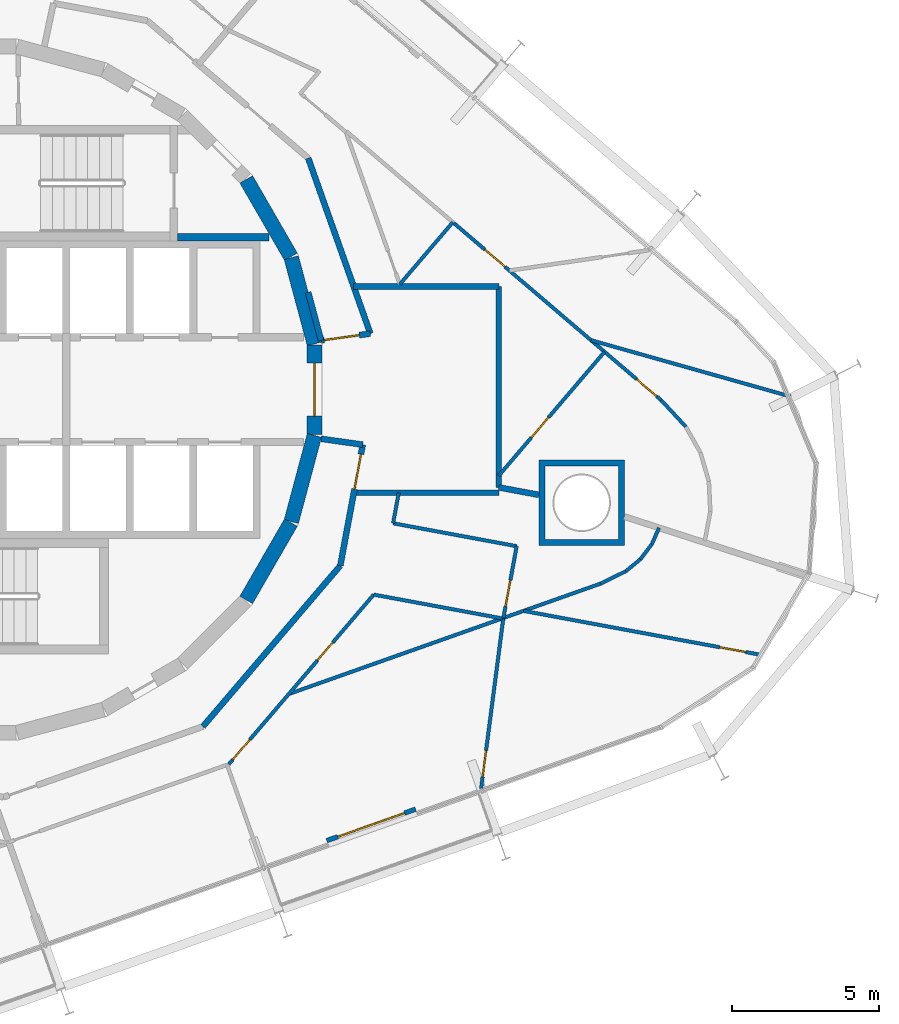
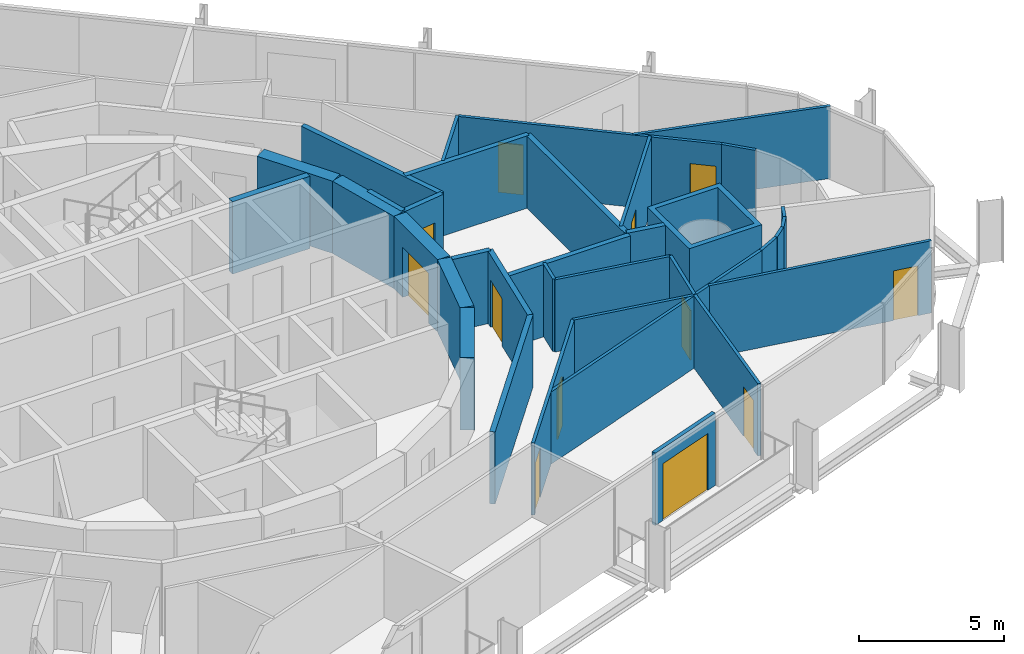
# One storey, part 13 of 17: 35 walls, 12 doors, 12 openings.
"""IFC4 building model written with IfcOpenShell, lengths in metres."""

from ifc_helpers import new_model, si_unit, direction, frame, frame_2d, origin, place, context, subcontext, project, spatial, polyline, rectangle, outline, extrude, material, layer, layer_set, type_object, element, fill, save


model = new_model("IFC4")

# Units and contexts
model_context = context("Model", 3, precision=1e-05, world=origin(), true_north=direction((0.0, 1.0)))
body_context = subcontext(model_context, "Body", "Model", "MODEL_VIEW")
ifc_project = project(units=[si_unit("LENGTHUNIT", "METRE"), si_unit("AREAUNIT", "SQUARE_METRE"), si_unit("VOLUMEUNIT", "CUBIC_METRE"), si_unit("PLANEANGLEUNIT", "RADIAN"), si_unit("MASSUNIT", "GRAM", prefix="KILO")], contexts=[model_context])

# Site, building, storey
site_placement = place(None, origin())
site = spatial("IfcSite", under=ifc_project, at=site_placement, CompositionType="ELEMENT")
building_placement = place(site_placement, origin())
building = spatial("IfcBuilding", under=site, at=building_placement, Name="Spindle Arch Residences", CompositionType="ELEMENT")
storey_placement = place(building_placement, frame((0.0, 0.0, 179.699951171875)))
storey = spatial("IfcBuildingStorey", under=building, at=storey_placement, Name="L45", CompositionType="ELEMENT", Elevation=179.699951171875)

# Walls
ifc_material_1 = material(Name="Concrete C50/60", Category="concrete")
ifc_layer_1 = layer(ifc_material_1, 0.5)
ifc_layer_set_1 = layer_set([ifc_layer_1], Name="Core outline wall 500")
wall_type_1 = type_object("IfcWallType", Name="Core outline wall 500", PredefinedType="SHEAR", material=ifc_layer_set_1)
for number, where, z_axis, x_axis, name in (
    (1, (9.32861328125, -7.13671875, 0.0), (0.0, 0.0, 1.0), (0.500087131594, 0.865975092491, 0.0), "Core outline wall 4"),
    (2, (10.858154296875, -4.479248046875, 0.0), (0.0, 0.0, 1.0), (0.258734743916, 0.965948410781, 0.0), "Core outline wall 5"),
):
    element("IfcWall", number, at=place(storey_placement, frame(where, z_axis=z_axis, x_axis=x_axis)), inside=storey, type_object=wall_type_1, Name=name, PredefinedType="SHEAR", context=body_context, shape_type="SweptSolid", body=[
        extrude(rectangle(XDim=3.03271484375, YDim=0.5, at=frame_2d((1.516357421875, 0.0))), origin(), (0.0, 0.0, 1.0), 3.050048828125),
    ])

# Wall, opening, door
wall_1_placement = place(storey_placement, frame((11.647216796875, -1.516357421875, 0.0), z_axis=(0.0, 0.0, 1.0), x_axis=(0.0, 1.0, 0.0)))
wall_1 = element("IfcWall", 3, at=wall_1_placement, inside=storey, type_object=wall_type_1, Name="Core outline wall 6", PredefinedType="SHEAR", context=body_context, shape_type="SweptSolid", body=[
    extrude(rectangle(XDim=3.03271484375, YDim=0.5, at=frame_2d((1.516357421875, 0.0))), origin(), (0.0, 0.0, 1.0), 3.050048828125),
])
opening_1_placement = place(wall_1_placement, frame((0.6162109375, 0.0, 0.0)))
opening_1 = element("IfcOpeningElement", 4, at=opening_1_placement, cuts=wall_1, Name="Opening R4C0-FE01", PredefinedType="OPENING", context=body_context, shape_type="SweptSolid", body=[
    extrude(rectangle(XDim=1.800048828125, YDim=2.10009765625, at=frame_2d((0.89990234375, 1.050048828125))), frame((0.0, 0.260009765625, 0.0), z_axis=(0.0, -1.0, 0.0), x_axis=(1.0, 0.0, 0.0)), (0.0, 0.0, 1.0), 0.52001953125),
])
ifc_material_2 = material(Name="Steel, fire-resisting door", Category="steel")
door_type_1 = type_object("IfcDoorType", Name="Fire-lift lobby door 1800x2100", OperationType="DOUBLE_DOOR_SINGLE_SWING", PredefinedType="DOOR", material=ifc_material_2)
door_1_placement = place(opening_1_placement, origin())
door_1 = element("IfcDoor", 5, at=door_1_placement, inside=storey, type_object=door_type_1, Name="Fire-lift lobby door R4C0-FE01", OperationType="DOUBLE_DOOR_SINGLE_SWING", OverallHeight=2.10009765625, OverallWidth=1.800048828125, PredefinedType="DOOR", context=body_context, shape_type="SweptSolid", body=[
    extrude(rectangle(XDim=1.800048828125, YDim=2.10009765625, at=frame_2d((0.89990234375, 1.050048828125))), frame((0.0, 0.02490234375, 0.0), z_axis=(0.0, -1.0, 0.0), x_axis=(1.0, 0.0, 0.0)), (0.0, 0.0, 1.0), 0.050048828125),
])
fill(opening_1, door_1)

# Walls
for number, where, z_axis, x_axis, name in (
    (6, (11.642822265625, 1.5498046875, 0.0), (0.0, 0.0, 1.0), (-0.258734743916, 0.965948410781, 0.0), "Core outline wall 7"),
    (7, (10.84521484375, 4.510498046875, 0.0), (0.0, 0.0, 1.0), (-0.500087131594, 0.865975092491, 0.0), "Core outline wall 8"),
):
    element("IfcWall", number, at=place(storey_placement, frame(where, z_axis=z_axis, x_axis=x_axis)), inside=storey, type_object=wall_type_1, Name=name, PredefinedType="SHEAR", context=body_context, shape_type="SweptSolid", body=[
        extrude(rectangle(XDim=3.03271484375, YDim=0.5, at=frame_2d((1.516357421875, 0.0))), origin(), (0.0, 0.0, 1.0), 3.050048828125),
    ])
ifc_material_3 = material(Name="Calcium silicate block, plastered")
ifc_layer_2 = layer(ifc_material_3, 0.199951171875)
ifc_layer_set_2 = layer_set([ifc_layer_2], Name="Corridor wall 200")
wall_type_2 = type_object("IfcWallType", Name="Corridor wall 200", PredefinedType="STANDARD", material=ifc_layer_set_2)
wall_2_placement = place(storey_placement, frame((7.857666015625, -11.432861328125, 0.0), z_axis=(0.0, 0.0, 1.0), x_axis=(0.649440801937, 0.760412154545, 0.0)))
element("IfcWall", 8, at=wall_2_placement, inside=storey, type_object=wall_type_2, Name="Corridor wall R4C0-W019", PredefinedType="STANDARD", context=body_context, shape_type="SweptSolid", body=[
    extrude(rectangle(XDim=7.180908203125, YDim=0.199951171875, at=frame_2d((3.59033203125, 0.0))), origin(), (0.0, 0.0, 1.0), 3.050048828125),
])
ifc_material_4 = material(Name="Calcium silicate block, plastered")
ifc_layer_3 = layer(ifc_material_4, 0.199951171875)
ifc_layer_set_3 = layer_set([ifc_layer_3], Name="Fire-lift lobby bay wall 200")
wall_type_3 = type_object("IfcWallType", Name="Fire-lift lobby bay wall 200", PredefinedType="STANDARD", material=ifc_layer_set_3)
wall_3_placement = place(storey_placement, frame((11.8701171875, 1.668212890625, 0.0), z_axis=(0.0, 0.0, 1.0), x_axis=(-0.258836880648, 0.965921047093, 0.0)))
element("IfcWall", 9, at=wall_3_placement, inside=storey, type_object=wall_type_3, Name="Fire-lift lobby bay wall R4C0-W001", PredefinedType="STANDARD", context=body_context, shape_type="SweptSolid", body=[
    extrude(rectangle(XDim=1.695068359375, YDim=0.199951171875, at=frame_2d((0.84765625, 0.0))), origin(), (0.0, 0.0, 1.0), 3.050048828125),
])

# Wall, opening, door
wall_4_placement = place(storey_placement, frame((11.8701171875, 1.668212890625, 0.0), z_axis=(0.0, 0.0, 1.0), x_axis=(0.990270910415, 0.139152879904, 0.0)))
wall_4 = element("IfcWall", 10, at=wall_4_placement, inside=storey, type_object=wall_type_3, Name="Fire-lift lobby bay wall R4C0-W002", PredefinedType="STANDARD", context=body_context, shape_type="SweptSolid", body=[
    extrude(rectangle(XDim=1.687744140625, YDim=0.199951171875, at=frame_2d((0.84375, 0.0))), origin(), (0.0, 0.0, 1.0), 3.050048828125),
])
opening_2_placement = place(wall_4_placement, frame((0.110107421875, 0.0, 0.0)))
opening_2 = element("IfcOpeningElement", 11, at=opening_2_placement, cuts=wall_4, Name="Opening R4C0-CD01A", PredefinedType="OPENING", context=body_context, shape_type="SweptSolid", body=[
    extrude(rectangle(XDim=1.199951171875, YDim=2.0, at=frame_2d((0.60009765625, 1.0))), frame((0.0, 0.10986328125, 0.0), z_axis=(0.0, -1.0, 0.0), x_axis=(1.0, 0.0, 0.0)), (0.0, 0.0, 1.0), 0.219970703125),
])
ifc_material_5 = material(Name="Steel, fire-resisting door", Category="steel")
door_type_2 = type_object("IfcDoorType", Name="Corridor division door 1200x2000", OperationType="NOTDEFINED", PredefinedType="DOOR", material=ifc_material_5)
door_2_placement = place(opening_2_placement, origin())
door_2 = element("IfcDoor", 12, at=door_2_placement, inside=storey, type_object=door_type_2, Name="Corridor division door R4C0-CD01A", OperationType="DOUBLE_DOOR_SINGLE_SWING", OverallHeight=2.0, OverallWidth=1.199951171875, PredefinedType="DOOR", context=body_context, shape_type="SweptSolid", body=[
    extrude(rectangle(XDim=1.199951171875, YDim=2.0, at=frame_2d((0.60009765625, 1.0))), frame((0.0, 0.02490234375, 0.0), z_axis=(0.0, -1.0, 0.0), x_axis=(1.0, 0.0, 0.0)), (0.0, 0.0, 1.0), 0.050048828125),
])
fill(opening_2, door_2)

# Wall
wall_5_placement = place(storey_placement, frame((13.54150390625, 1.903076171875, 0.0), z_axis=(0.0, 0.0, 1.0), x_axis=(-0.333808508206, 0.942640907159, 0.0)))
element("IfcWall", 13, at=wall_5_placement, inside=storey, type_object=wall_type_3, Name="Fire-lift lobby bay wall R4C0-W003", PredefinedType="STANDARD", context=body_context, shape_type="SweptSolid", body=[
    extrude(rectangle(XDim=6.31689453125, YDim=0.199951171875, at=frame_2d((3.158447265625, 0.0))), origin(), (0.0, 0.0, 1.0), 3.050048828125),
])

# Wall, opening, door
wall_6_placement = place(storey_placement, frame((12.521240234375, -5.972412109375, 0.0), z_axis=(0.0, 0.0, 1.0), x_axis=(0.182244189886, 0.983253301674, 0.0)))
wall_6 = element("IfcWall", 14, at=wall_6_placement, inside=storey, type_object=wall_type_3, Name="Fire-lift lobby bay wall R4C0-W012", PredefinedType="STANDARD", context=body_context, shape_type="SweptSolid", body=[
    extrude(rectangle(XDim=4.175537109375, YDim=0.199951171875, at=frame_2d((2.087890625, 0.0))), origin(), (0.0, 0.0, 1.0), 3.050048828125),
])
opening_3_placement = place(wall_6_placement, frame((2.64453125, 0.0, 0.0)))
opening_3 = element("IfcOpeningElement", 15, at=opening_3_placement, cuts=wall_6, Name="Opening R4C0-CD02A", PredefinedType="OPENING", context=body_context, shape_type="SweptSolid", body=[
    extrude(rectangle(XDim=1.199951171875, YDim=2.0, at=frame_2d((0.60009765625, 1.0))), frame((0.0, 0.10986328125, 0.0), z_axis=(0.0, -1.0, 0.0), x_axis=(1.0, 0.0, 0.0)), (0.0, 0.0, 1.0), 0.219970703125),
])
door_3_placement = place(opening_3_placement, origin())
door_3 = element("IfcDoor", 16, at=door_3_placement, inside=storey, type_object=door_type_2, Name="Corridor division door R4C0-CD02A", OperationType="DOUBLE_DOOR_SINGLE_SWING", OverallHeight=2.0, OverallWidth=1.199951171875, PredefinedType="DOOR", context=body_context, shape_type="SweptSolid", body=[
    extrude(rectangle(XDim=1.199951171875, YDim=2.0, at=frame_2d((0.60009765625, 1.0))), frame((0.0, 0.02490234375, 0.0), z_axis=(0.0, -1.0, 0.0), x_axis=(1.0, 0.0, 0.0)), (0.0, 0.0, 1.0), 0.050048828125),
])
fill(opening_3, door_3)

# Walls
wall_7_placement = place(storey_placement, frame((13.2822265625, -1.86669921875, 0.0), z_axis=(0.0, 0.0, 1.0), x_axis=(-0.990265430288, 0.139191873241, 0.0)))
element("IfcWall", 17, at=wall_7_placement, inside=storey, type_object=wall_type_3, Name="Fire-lift lobby bay wall R4C0-W013", PredefinedType="STANDARD", context=body_context, shape_type="SweptSolid", body=[
    extrude(rectangle(XDim=1.426025390625, YDim=0.199951171875, at=frame_2d((0.712890625, 0.0))), origin(), (0.0, 0.0, 1.0), 3.050048828125),
])
wall_8_placement = place(storey_placement, frame((17.89990234375, 3.5, 0.0), z_axis=(0.0, 0.0, 1.0), x_axis=(-1.0, 0.0, 0.0)))
element("IfcWall", 18, at=wall_8_placement, inside=storey, type_object=wall_type_3, Name="Fire-lift lobby bay wall R4C0-W023", PredefinedType="STANDARD", context=body_context, shape_type="SweptSolid", body=[
    extrude(rectangle(XDim=4.923828125, YDim=0.199951171875, at=frame_2d((2.4619140625, 0.0))), origin(), (0.0, 0.0, 1.0), 3.050048828125),
])
wall_9_placement = place(storey_placement, frame((17.89990234375, -3.317626953125, 0.0), z_axis=(0.0, 0.0, 1.0), x_axis=(0.0, 1.0, 0.0)))
element("IfcWall", 19, at=wall_9_placement, inside=storey, type_object=wall_type_3, Name="Fire-lift lobby bay wall R4C0-W024", PredefinedType="STANDARD", context=body_context, shape_type="SweptSolid", body=[
    extrude(rectangle(XDim=6.817626953125, YDim=0.199951171875, at=frame_2d((3.40869140625, 0.0))), origin(), (0.0, 0.0, 1.0), 3.050048828125),
])
wall_10_placement = place(storey_placement, frame((12.9794921875, -3.5, 0.0), z_axis=(0.0, 0.0, 1.0), x_axis=(1.0, 0.0, 0.0)))
element("IfcWall", 20, at=wall_10_placement, inside=storey, type_object=wall_type_3, Name="Fire-lift lobby bay wall R4C0-W025", PredefinedType="STANDARD", context=body_context, shape_type="SweptSolid", body=[
    extrude(rectangle(XDim=4.92041015625, YDim=0.199951171875, at=frame_2d((2.460205078125, 0.0))), origin(), (0.0, 0.0, 1.0), 3.050048828125),
])

# Wall, openings, doors
ifc_material_6 = material(Name="Plasterboard on steel studs", Category="steel")
ifc_layer_4 = layer(ifc_material_6, 0.1201171875)
ifc_layer_set_4 = layer_set([ifc_layer_4], Name="Flat partition 120")
wall_type_4 = type_object("IfcWallType", Name="Flat partition 120", PredefinedType="PARTITIONING", material=ifc_layer_set_4)
wall_11_placement = place(storey_placement, frame((23.411376953125, -0.35693359375, 0.0), z_axis=(0.0, 0.0, 1.0), x_axis=(-0.76041871148, 0.649433124525, 0.0)))
wall_11 = element("IfcWall", 21, at=wall_11_placement, inside=storey, type_object=wall_type_4, Name="Flat partition R4C0-W042", PredefinedType="PARTITIONING", context=body_context, shape_type="SweptSolid", body=[
    extrude(rectangle(XDim=9.2587890625, YDim=0.1201171875, at=frame_2d((4.62939453125, 0.0))), origin(), (0.0, 0.0, 1.0), 3.050048828125),
])
opening_4_placement = place(wall_11_placement, frame((6.971923828125, 0.0, 0.0)))
opening_4 = element("IfcOpeningElement", 22, at=opening_4_placement, cuts=wall_11, Name="Opening R4C0-ID02", PredefinedType="OPENING", context=body_context, shape_type="SweptSolid", body=[
    extrude(rectangle(XDim=0.89990234375, YDim=2.10009765625, at=frame_2d((0.449951171875, 1.050048828125))), frame((0.0, 0.070068359375, 0.0), z_axis=(0.0, -1.0, 0.0), x_axis=(1.0, 0.0, 0.0)), (0.0, 0.0, 1.0), 0.14013671875),
])
opening_5_placement = place(wall_11_placement, frame((0.199951171875, 0.0, 0.0)))
opening_5 = element("IfcOpeningElement", 23, at=opening_5_placement, cuts=wall_11, Name="Opening R4C0-ID05", PredefinedType="OPENING", context=body_context, shape_type="SweptSolid", body=[
    extrude(rectangle(XDim=0.89990234375, YDim=2.10009765625, at=frame_2d((0.449951171875, 1.050048828125))), frame((0.0, 0.070068359375, 0.0), z_axis=(0.0, -1.0, 0.0), x_axis=(1.0, 0.0, 0.0)), (0.0, 0.0, 1.0), 0.14013671875),
])
ifc_material_7 = material(Name="Timber door set", Category="wood")
door_type_3 = type_object("IfcDoorType", Name="Room door 900x2100", OperationType="NOTDEFINED", PredefinedType="DOOR", material=ifc_material_7)
door_4_placement = place(opening_4_placement, origin())
door_4 = element("IfcDoor", 24, at=door_4_placement, inside=storey, type_object=door_type_3, Name="Room door R4C0-ID02", OperationType="SINGLE_SWING_RIGHT", OverallHeight=2.10009765625, OverallWidth=0.89990234375, PredefinedType="DOOR", context=body_context, shape_type="SweptSolid", body=[
    extrude(rectangle(XDim=0.89990234375, YDim=2.10009765625, at=frame_2d((0.449951171875, 1.050048828125))), frame((0.0, 0.02490234375, 0.0), z_axis=(0.0, -1.0, 0.0), x_axis=(1.0, 0.0, 0.0)), (0.0, 0.0, 1.0), 0.050048828125),
])
fill(opening_4, door_4)
door_5_placement = place(opening_5_placement, origin())
door_5 = element("IfcDoor", 25, at=door_5_placement, inside=storey, type_object=door_type_3, Name="Room door R4C0-ID05", OperationType="SINGLE_SWING_LEFT", OverallHeight=2.10009765625, OverallWidth=0.89990234375, PredefinedType="DOOR", context=body_context, shape_type="SweptSolid", body=[
    extrude(rectangle(XDim=0.89990234375, YDim=2.10009765625, at=frame_2d((0.449951171875, 1.050048828125))), frame((0.0, 0.02490234375, 0.0), z_axis=(0.0, -1.0, 0.0), x_axis=(1.0, 0.0, 0.0)), (0.0, 0.0, 1.0), 0.050048828125),
])
fill(opening_5, door_5)

# Wall
wall_12_placement = place(storey_placement, frame((16.340576171875, 5.681884765625, 0.0), z_axis=(0.0, 0.0, 1.0), x_axis=(-0.64946993237, -0.76038727432, 0.0)))
element("IfcWall", 26, at=wall_12_placement, inside=storey, type_object=wall_type_4, Name="Flat partition R4C0-W043", PredefinedType="PARTITIONING", context=body_context, shape_type="SweptSolid", body=[
    extrude(rectangle(XDim=2.771240234375, YDim=0.1201171875, at=frame_2d((1.3857421875, 0.0))), origin(), (0.0, 0.0, 1.0), 3.050048828125),
])

# Wall, opening, door
wall_13_placement = place(storey_placement, frame((17.89990234375, -2.91845703125, 0.0), z_axis=(0.0, 0.0, 1.0), x_axis=(0.649469887983, 0.760387312232, 0.0)))
wall_13 = element("IfcWall", 27, at=wall_13_placement, inside=storey, type_object=wall_type_4, Name="Flat partition R4C0-W044", PredefinedType="PARTITIONING", context=body_context, shape_type="SweptSolid", body=[
    extrude(rectangle(XDim=5.52685546875, YDim=0.1201171875, at=frame_2d((2.763427734375, 0.0))), origin(), (0.0, 0.0, 1.0), 3.050048828125),
])
opening_6_placement = place(wall_13_placement, frame((1.699951171875, 0.0, 0.0)))
opening_6 = element("IfcOpeningElement", 28, at=opening_6_placement, cuts=wall_13, Name="Opening R4C0-ID04A", PredefinedType="OPENING", context=body_context, shape_type="SweptSolid", body=[
    extrude(rectangle(XDim=0.89990234375, YDim=2.0, at=frame_2d((0.449951171875, 1.0))), frame((0.0, 0.070068359375, 0.0), z_axis=(0.0, -1.0, 0.0), x_axis=(1.0, 0.0, 0.0)), (0.0, 0.0, 1.0), 0.14013671875),
])
ifc_material_8 = material(Name="Timber door set", Category="wood")
door_type_4 = type_object("IfcDoorType", Name="Room door 900x2000", OperationType="NOTDEFINED", PredefinedType="DOOR", material=ifc_material_8)
door_6_placement = place(opening_6_placement, origin())
door_6 = element("IfcDoor", 29, at=door_6_placement, inside=storey, type_object=door_type_4, Name="Room door R4C0-ID04A", OperationType="SINGLE_SWING_LEFT", OverallHeight=2.0, OverallWidth=0.89990234375, PredefinedType="DOOR", context=body_context, shape_type="SweptSolid", body=[
    extrude(rectangle(XDim=0.89990234375, YDim=2.0, at=frame_2d((0.449951171875, 1.0))), frame((0.0, 0.02490234375, 0.0), z_axis=(0.0, -1.0, 0.0), x_axis=(1.0, 0.0, 0.0)), (0.0, 0.0, 1.0), 0.050048828125),
])
fill(opening_6, door_6)

# Walls
wall_14_placement = place(storey_placement, frame((21.029052734375, 1.677490234375, 0.0), z_axis=(0.0, 0.0, 1.0), x_axis=(0.962458274539, -0.271429677396, 0.0)))
element("IfcWall", 30, at=wall_14_placement, inside=storey, type_object=wall_type_4, Name="Flat partition R4C0-W046", PredefinedType="PARTITIONING", context=body_context, shape_type="SweptSolid", body=[
    extrude(rectangle(XDim=7.037353515625, YDim=0.1201171875, at=frame_2d((3.5185546875, 0.0))), origin(), (0.0, 0.0, 1.0), 3.050048828125),
])
wall_15_placement = place(storey_placement, frame((24.24560546875, -1.2568359375, 0.0), z_axis=(0.0, 0.0, 1.0), x_axis=(-0.679840361176, 0.733360132074, 0.0)))
element("IfcWall", 31, at=wall_15_placement, inside=storey, type_object=wall_type_4, Name="Flat partition R4C0-W051", PredefinedType="PARTITIONING", context=body_context, shape_type="SweptSolid", body=[
    extrude(rectangle(XDim=1.22705078125, YDim=0.1201171875, at=frame_2d((0.613525390625, 0.0))), origin(), (0.0, 0.0, 1.0), 3.050048828125),
])

# Wall, openings, doors
wall_16_placement = place(storey_placement, frame((8.7373046875, -12.712646484375, 0.0), z_axis=(0.0, 0.0, 1.0), x_axis=(0.649427973074, 0.760423111031, 0.0)))
wall_16 = element("IfcWall", 32, at=wall_16_placement, inside=storey, type_object=wall_type_4, Name="Flat partition R4C0-W110", PredefinedType="PARTITIONING", context=body_context, shape_type="SweptSolid", body=[
    extrude(rectangle(XDim=7.57080078125, YDim=0.1201171875, at=frame_2d((3.785400390625, 0.0))), origin(), (0.0, 0.0, 1.0), 3.050048828125),
])
opening_7_placement = place(wall_16_placement, frame((0.199951171875, 0.0, 0.0)))
opening_7 = element("IfcOpeningElement", 33, at=opening_7_placement, cuts=wall_16, Name="Opening R4C0-ID28", PredefinedType="OPENING", context=body_context, shape_type="SweptSolid", body=[
    extrude(rectangle(XDim=0.89990234375, YDim=2.10009765625, at=frame_2d((0.449951171875, 1.050048828125))), frame((0.0, 0.070068359375, 0.0), z_axis=(0.0, -1.0, 0.0), x_axis=(1.0, 0.0, 0.0)), (0.0, 0.0, 1.0), 0.14013671875),
])
opening_8_placement = place(wall_16_placement, frame((4.63427734375, 0.0, 0.0)))
opening_8 = element("IfcOpeningElement", 34, at=opening_8_placement, cuts=wall_16, Name="Opening R4C0-BD06", PredefinedType="OPENING", context=body_context, shape_type="SweptSolid", body=[
    extrude(rectangle(XDim=0.800048828125, YDim=2.10009765625, at=frame_2d((0.39990234375, 1.050048828125))), frame((0.0, 0.070068359375, 0.0), z_axis=(0.0, -1.0, 0.0), x_axis=(1.0, 0.0, 0.0)), (0.0, 0.0, 1.0), 0.14013671875),
])
ifc_material_9 = material(Name="Timber door set", Category="wood")
door_type_5 = type_object("IfcDoorType", Name="Bathroom door 800x2100", OperationType="NOTDEFINED", PredefinedType="DOOR", material=ifc_material_9)
door_7_placement = place(opening_8_placement, origin())
door_7 = element("IfcDoor", 35, at=door_7_placement, inside=storey, type_object=door_type_5, Name="Bathroom door R4C0-BD06", OperationType="SINGLE_SWING_RIGHT", OverallHeight=2.10009765625, OverallWidth=0.800048828125, PredefinedType="DOOR", context=body_context, shape_type="SweptSolid", body=[
    extrude(rectangle(XDim=0.800048828125, YDim=2.10009765625, at=frame_2d((0.39990234375, 1.050048828125))), frame((0.0, 0.02490234375, 0.0), z_axis=(0.0, -1.0, 0.0), x_axis=(1.0, 0.0, 0.0)), (0.0, 0.0, 1.0), 0.050048828125),
])
fill(opening_8, door_7)
door_8_placement = place(opening_7_placement, origin())
door_8 = element("IfcDoor", 36, at=door_8_placement, inside=storey, type_object=door_type_3, Name="Room door R4C0-ID28", OperationType="SINGLE_SWING_RIGHT", OverallHeight=2.10009765625, OverallWidth=0.89990234375, PredefinedType="DOOR", context=body_context, shape_type="SweptSolid", body=[
    extrude(rectangle(XDim=0.89990234375, YDim=2.10009765625, at=frame_2d((0.449951171875, 1.050048828125))), frame((0.0, 0.02490234375, 0.0), z_axis=(0.0, -1.0, 0.0), x_axis=(1.0, 0.0, 0.0)), (0.0, 0.0, 1.0), 0.050048828125),
])
fill(opening_7, door_8)

# Wall
wall_17_placement = place(storey_placement, frame((13.654052734375, -6.95556640625, 0.0), z_axis=(0.0, 0.0, 1.0), x_axis=(0.983253166233, -0.18224492062, 0.0)))
element("IfcWall", 37, at=wall_17_placement, inside=storey, type_object=wall_type_4, Name="Flat partition R4C0-W111", PredefinedType="PARTITIONING", context=body_context, shape_type="SweptSolid", body=[
    extrude(rectangle(XDim=4.436767578125, YDim=0.1201171875, at=frame_2d((2.21826171875, 0.0))), origin(), (0.0, 0.0, 1.0), 3.050048828125),
])

# Wall, opening, door
wall_18_placement = place(storey_placement, frame((18.055419921875, -7.75048828125, 0.0), z_axis=(0.0, 0.0, 1.0), x_axis=(0.18225497314, 0.983251302957, 0.0)))
wall_18 = element("IfcWall", 38, at=wall_18_placement, inside=storey, type_object=wall_type_4, Name="Flat partition R4C0-W112", PredefinedType="PARTITIONING", context=body_context, shape_type="SweptSolid", body=[
    extrude(rectangle(XDim=2.4794921875, YDim=0.1201171875, at=frame_2d((1.23974609375, 0.0))), origin(), (0.0, 0.0, 1.0), 3.050048828125),
])
opening_9_placement = place(wall_18_placement, frame((0.39990234375, 0.0, 0.0)))
opening_9 = element("IfcOpeningElement", 39, at=opening_9_placement, cuts=wall_18, Name="Opening R4C0-ID29", PredefinedType="OPENING", context=body_context, shape_type="SweptSolid", body=[
    extrude(rectangle(XDim=0.89990234375, YDim=2.10009765625, at=frame_2d((0.449951171875, 1.050048828125))), frame((0.0, 0.070068359375, 0.0), z_axis=(0.0, -1.0, 0.0), x_axis=(1.0, 0.0, 0.0)), (0.0, 0.0, 1.0), 0.14013671875),
])
door_9_placement = place(opening_9_placement, origin())
door_9 = element("IfcDoor", 40, at=door_9_placement, inside=storey, type_object=door_type_3, Name="Room door R4C0-ID29", OperationType="SINGLE_SWING_RIGHT", OverallHeight=2.10009765625, OverallWidth=0.89990234375, PredefinedType="DOOR", context=body_context, shape_type="SweptSolid", body=[
    extrude(rectangle(XDim=0.89990234375, YDim=2.10009765625, at=frame_2d((0.449951171875, 1.050048828125))), frame((0.0, 0.02490234375, 0.0), z_axis=(0.0, -1.0, 0.0), x_axis=(1.0, 0.0, 0.0)), (0.0, 0.0, 1.0), 0.050048828125),
])
fill(opening_9, door_9)

# Walls
wall_19_placement = place(storey_placement, frame((18.50732421875, -5.3125, 0.0), z_axis=(0.0, 0.0, 1.0), x_axis=(-0.983254286603, 0.182238875868, 0.0)))
element("IfcWall", 41, at=wall_19_placement, inside=storey, type_object=wall_type_4, Name="Flat partition R4C0-W113", PredefinedType="PARTITIONING", context=body_context, shape_type="SweptSolid", body=[
    extrude(rectangle(XDim=4.265625, YDim=0.1201171875, at=frame_2d((2.1328125, 0.0))), origin(), (0.0, 0.0, 1.0), 3.050048828125),
])
wall_20_placement = place(storey_placement, frame((14.313232421875, -4.53515625, 0.0), z_axis=(0.0, 0.0, 1.0), x_axis=(0.182271946033, 0.983248156718, 0.0)))
element("IfcWall", 42, at=wall_20_placement, inside=storey, type_object=wall_type_4, Name="Flat partition R4C0-W114", PredefinedType="PARTITIONING", context=body_context, shape_type="SweptSolid", body=[
    extrude(rectangle(XDim=1.052734375, YDim=0.1201171875, at=frame_2d((0.5263671875, 0.0))), origin(), (0.0, 0.0, 1.0), 3.050048828125),
])
wall_21_placement = place(storey_placement, frame((21.3623046875, -6.57958984375, 0.0), z_axis=(0.0, 0.0, 1.0), x_axis=(-0.942647598157, -0.333789612913, 0.0)))
element("IfcWall", 43, at=wall_21_placement, inside=storey, type_object=wall_type_4, Name="Flat partition R4C0-W116", PredefinedType="PARTITIONING", context=body_context, shape_type="SweptSolid", body=[
    extrude(rectangle(XDim=11.23388671875, YDim=0.1201171875, at=frame_2d((5.616943359375, 0.0))), origin(), (0.0, 0.0, 1.0), 3.050048828125),
])

# Wall, opening, door
wall_22_placement = place(storey_placement, frame((17.30029296875, -13.5341796875, 0.0), z_axis=(0.0, 0.0, 1.0), x_axis=(0.129290698847, 0.99160673414, 0.0)))
wall_22 = element("IfcWall", 44, at=wall_22_placement, inside=storey, type_object=wall_type_4, Name="Flat partition R4C0-W117", PredefinedType="PARTITIONING", context=body_context, shape_type="SweptSolid", body=[
    extrude(rectangle(XDim=5.812255859375, YDim=0.1201171875, at=frame_2d((2.90625, 0.0))), origin(), (0.0, 0.0, 1.0), 3.050048828125),
])
opening_10_placement = place(wall_22_placement, frame((0.39990234375, 0.0, 0.0)))
opening_10 = element("IfcOpeningElement", 45, at=opening_10_placement, cuts=wall_22, Name="Opening R4C0-ID30", PredefinedType="OPENING", context=body_context, shape_type="SweptSolid", body=[
    extrude(rectangle(XDim=0.89990234375, YDim=2.10009765625, at=frame_2d((0.449951171875, 1.050048828125))), frame((0.0, 0.070068359375, 0.0), z_axis=(0.0, -1.0, 0.0), x_axis=(1.0, 0.0, 0.0)), (0.0, 0.0, 1.0), 0.14013671875),
])
door_10_placement = place(opening_10_placement, origin())
door_10 = element("IfcDoor", 46, at=door_10_placement, inside=storey, type_object=door_type_3, Name="Room door R4C0-ID30", OperationType="SINGLE_SWING_RIGHT", OverallHeight=2.10009765625, OverallWidth=0.89990234375, PredefinedType="DOOR", context=body_context, shape_type="SweptSolid", body=[
    extrude(rectangle(XDim=0.89990234375, YDim=2.10009765625, at=frame_2d((0.449951171875, 1.050048828125))), frame((0.0, 0.02490234375, 0.0), z_axis=(0.0, -1.0, 0.0), x_axis=(1.0, 0.0, 0.0)), (0.0, 0.0, 1.0), 0.050048828125),
])
fill(opening_10, door_10)

wall_23_placement = place(storey_placement, frame((26.774169921875, -8.99658203125, 0.0), z_axis=(0.0, 0.0, 1.0), x_axis=(-0.983258019748, 0.18221873285, 0.0)))
wall_23 = element("IfcWall", 47, at=wall_23_placement, inside=storey, type_object=wall_type_4, Name="Flat partition R4C0-W118", PredefinedType="PARTITIONING", context=body_context, shape_type="SweptSolid", body=[
    extrude(rectangle(XDim=8.170166015625, YDim=0.1201171875, at=frame_2d((4.0849609375, 0.0))), origin(), (0.0, 0.0, 1.0), 3.050048828125),
])
opening_11_placement = place(wall_23_placement, frame((0.5, 0.0, 0.0)))
opening_11 = element("IfcOpeningElement", 48, at=opening_11_placement, cuts=wall_23, Name="Opening R4C0-ID31", PredefinedType="OPENING", context=body_context, shape_type="SweptSolid", body=[
    extrude(rectangle(XDim=0.89990234375, YDim=2.10009765625, at=frame_2d((0.449951171875, 1.050048828125))), frame((0.0, 0.070068359375, 0.0), z_axis=(0.0, -1.0, 0.0), x_axis=(1.0, 0.0, 0.0)), (0.0, 0.0, 1.0), 0.14013671875),
])
door_11_placement = place(opening_11_placement, origin())
door_11 = element("IfcDoor", 49, at=door_11_placement, inside=storey, type_object=door_type_3, Name="Room door R4C0-ID31", OperationType="SINGLE_SWING_RIGHT", OverallHeight=2.10009765625, OverallWidth=0.89990234375, PredefinedType="DOOR", context=body_context, shape_type="SweptSolid", body=[
    extrude(rectangle(XDim=0.89990234375, YDim=2.10009765625, at=frame_2d((0.449951171875, 1.050048828125))), frame((0.0, 0.02490234375, 0.0), z_axis=(0.0, -1.0, 0.0), x_axis=(1.0, 0.0, 0.0)), (0.0, 0.0, 1.0), 0.050048828125),
])
fill(opening_11, door_11)

# Walls
wall_24_placement = place(storey_placement, frame((23.339599609375, -4.68896484375, 0.0), z_axis=(0.0, 0.0, 1.0), x_axis=(-0.404077449371, -0.914724775498, 0.0)))
element("IfcWall", 50, at=wall_24_placement, inside=storey, type_object=wall_type_4, Name="Flat partition R4C0-W119", PredefinedType="PARTITIONING", context=body_context, shape_type="SweptSolid", body=[
    extrude(rectangle(XDim=0.604736328125, YDim=0.1201171875, at=frame_2d((0.30224609375, 0.0))), origin(), (0.0, 0.0, 1.0), 3.050048828125),
])
for number, where, z_axis, x_axis, name in (
    (51, (23.09521484375, -5.2421875, 0.0), (0.0, 0.0, 1.0), (-0.60407005845, -0.796931216909, 0.0), "Flat partition R4C0-W120"),
    (52, (22.70751953125, -5.753662109375, 0.0), (0.0, 0.0, 1.0), (-0.771732572541, -0.635947196298, 0.0), "Flat partition R4C0-W121"),
):
    element("IfcWall", number, at=place(storey_placement, frame(where, z_axis=z_axis, x_axis=x_axis)), inside=storey, type_object=wall_type_4, Name=name, PredefinedType="PARTITIONING", context=body_context, shape_type="SweptSolid", body=[
        extrude(rectangle(XDim=0.641845703125, YDim=0.1201171875, at=frame_2d((0.32080078125, 0.0))), origin(), (0.0, 0.0, 1.0), 3.050048828125),
    ])
wall_25_placement = place(storey_placement, frame((22.212158203125, -6.161865234375, 0.0), z_axis=(0.0, 0.0, 1.0), x_axis=(-0.897448694974, -0.441118850072, 0.0)))
element("IfcWall", 53, at=wall_25_placement, inside=storey, type_object=wall_type_4, Name="Flat partition R4C0-W122", PredefinedType="PARTITIONING", context=body_context, shape_type="SweptSolid", body=[
    extrude(rectangle(XDim=0.947021484375, YDim=0.1201171875, at=frame_2d((0.4736328125, 0.0))), origin(), (0.0, 0.0, 1.0), 3.050048828125),
])
ifc_material_10 = material(Name="Calcium silicate block, plastered")
ifc_layer_5 = layer(ifc_material_10, 0.199951171875)
ifc_layer_set_5 = layer_set([ifc_layer_5], Name="Flat party wall 200")
wall_type_5 = type_object("IfcWallType", Name="Flat party wall 200", PredefinedType="STANDARD", material=ifc_layer_set_5)
wall_26_placement = place(storey_placement, frame((17.89990234375, -3.317626953125, 0.0), z_axis=(0.0, 0.0, 1.0), x_axis=(0.983252800712, -0.182246892682, 0.0)))
element("IfcWall", 54, at=wall_26_placement, inside=storey, type_object=wall_type_5, Name="Flat party wall R4C0-W028", PredefinedType="STANDARD", context=body_context, shape_type="SweptSolid", body=[
    extrude(rectangle(XDim=1.386474609375, YDim=0.199951171875, at=frame_2d((0.693359375, 0.0))), origin(), (0.0, 0.0, 1.0), 3.050048828125),
])

# Wall, opening, door
ifc_material_11 = material(Name="Non-combustible mineral wool insulated aluminium faced external wall (K0)", Category="aluminium")
ifc_layer_6 = layer(ifc_material_11, 0.159912109375)
ifc_layer_set_6 = layer_set([ifc_layer_6], Name="Insulated external wall panel 160")
wall_type_6 = type_object("IfcWallType", Name="Insulated external wall panel 160", PredefinedType="STANDARD", material=ifc_layer_set_6)
wall_27_placement = place(storey_placement, frame((12.060791015625, -15.304931640625, 0.0), z_axis=(0.0, 0.0, 1.0), x_axis=(0.942620722428, 0.333865502335, 0.0)))
wall_27 = element("IfcWall", 55, at=wall_27_placement, inside=storey, type_object=wall_type_6, Name="External wall L45 bay 1", PredefinedType="STANDARD", context=body_context, shape_type="SweptSolid", body=[
    extrude(rectangle(XDim=3.199951171875, YDim=0.159912109375, at=frame_2d((1.60009765625, 0.0))), origin(), (0.0, 0.0, 1.0), 3.050048828125),
])
opening_12_placement = place(wall_27_placement, frame((0.39990234375, 0.0, 0.0)))
opening_12 = element("IfcOpeningElement", 56, at=opening_12_placement, cuts=wall_27, Name="Opening BD01", PredefinedType="OPENING", context=body_context, shape_type="SweptSolid", body=[
    extrude(rectangle(XDim=2.39990234375, YDim=2.39990234375, at=frame_2d((1.199951171875, 1.199951171875))), frame((0.0, 0.08984375, 0.0), z_axis=(0.0, -1.0, 0.0), x_axis=(1.0, 0.0, 0.0)), (0.0, 0.0, 1.0), 0.179931640625),
])
ifc_material_12 = material(Name="Bronze aluminium frame, tinted double glazing", Category="aluminium")
door_type_6 = type_object("IfcDoorType", Name="Sliding glazed balcony door 2400x2400", OperationType="DOUBLE_DOOR_SLIDING", PredefinedType="DOOR", material=ifc_material_12)
door_12_placement = place(opening_12_placement, origin())
door_12 = element("IfcDoor", 57, at=door_12_placement, inside=storey, type_object=door_type_6, Name="Balcony door BD01", OperationType="DOUBLE_DOOR_SLIDING", OverallHeight=2.39990234375, OverallWidth=2.39990234375, PredefinedType="DOOR", context=body_context, shape_type="SweptSolid", body=[
    extrude(rectangle(XDim=2.39990234375, YDim=2.39990234375, at=frame_2d((1.199951171875, 1.199951171875))), frame((0.0, 0.02490234375, 0.0), z_axis=(0.0, -1.0, 0.0), x_axis=(1.0, 0.0, 0.0)), (0.0, 0.0, 1.0), 0.050048828125),
])
fill(opening_12, door_12)

# Walls
ifc_material_13 = material(Name="Calcium silicate block, plastered")
ifc_layer_7 = layer(ifc_material_13, 0.199951171875)
ifc_layer_set_7 = layer_set([ifc_layer_7], Name="Mega-column casing wall 200")
wall_type_7 = type_object("IfcWallType", Name="Mega-column casing wall 200", PredefinedType="STANDARD", material=ifc_layer_set_7)
wall_28_placement = place(storey_placement, origin())
element("IfcWall", 58, at=wall_28_placement, inside=storey, type_object=wall_type_7, Name="Mega-column casing wall R4C0-WC03", PredefinedType="STANDARD", context=body_context, shape_type="SweptSolid", body=[
    extrude(outline(polyline([(22.1630859375, -2.388916015625), (22.1630859375, -5.2890625), (19.26318359375, -5.2890625), (19.26318359375, -2.388916015625), (22.1630859375, -2.388916015625)]), holes=[polyline([(19.463134765625, -5.089111328125), (21.963134765625, -5.089111328125), (21.963134765625, -2.589111328125), (19.463134765625, -2.589111328125), (19.463134765625, -5.089111328125)])]), origin(), (0.0, 0.0, 1.0), 3.050048828125),
])
ifc_material_14 = material(Name="Concrete C40/50", Category="concrete")
ifc_layer_8 = layer(ifc_material_14, 0.25)
ifc_layer_set_8 = layer_set([ifc_layer_8], Name="Stair airlock wall 250")
wall_type_8 = type_object("IfcWallType", Name="Stair airlock wall 250", PredefinedType="SHEAR", material=ifc_layer_set_8)
wall_29_placement = place(storey_placement, frame((7.0, 5.175048828125, 0.0), z_axis=(0.0, 0.0, 1.0), x_axis=(1.0, 0.0, 0.0)))
element("IfcWall", 59, at=wall_29_placement, inside=storey, type_object=wall_type_8, Name="Stair ST-1 airlock wall S", PredefinedType="SHEAR", context=body_context, shape_type="SweptSolid", body=[
    extrude(rectangle(XDim=3.10009765625, YDim=0.25, at=frame_2d((1.550048828125, 0.0))), origin(), (0.0, 0.0, 1.0), 3.050048828125),
])

save(model, "model.ifc")
